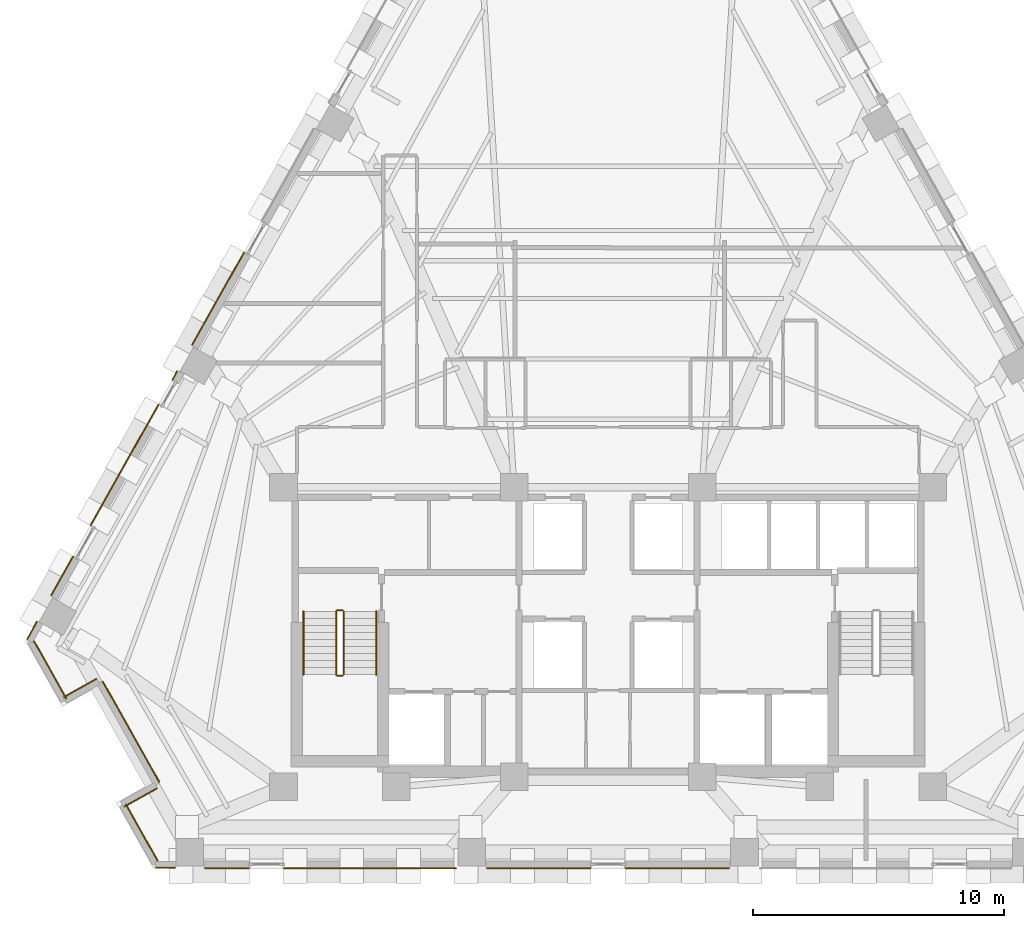
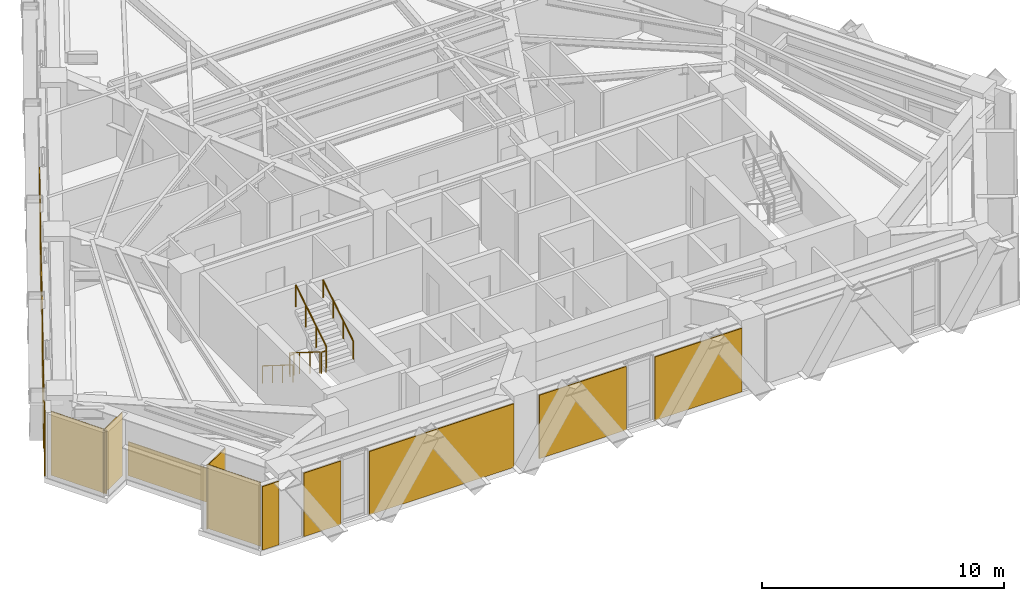
# One storey, part 10 of 13: 15 coverings, 6 railings.
"""IFC4 building model written with IfcOpenShell, lengths in metres."""

import ifcopenshell
import ifcopenshell.guid

model = None  # the IFC model being written
_history = None  # IfcOwnerHistory: only IFC2X3 demands one
_inside = {}  # id of a spatial element -> (the spatial element, [elements in it])
_under = {}  # id of a project, library or spatial element -> (it, [spatial elements below it])
_declared = {}  # id of a project -> (the project, [libraries it declares])
_typed = {}  # id of a type object -> (the type object, [elements of that type])
_made_of = {}  # id of a material, layer set ... -> (it, [elements and type objects made of it])


def new_model(schema):
    """Start an empty IFC model of exactly this schema.

    Asked for "IFC4X3", IfcOpenShell would pick the latest addendum, in which some entities
    have other attributes; the version numbers below select the first issue.
    IFC2X3 requires an IfcOwnerHistory on every rooted entity: one is made here for all.
    """
    global model, _history
    if schema == "IFC4X3":
        model = ifcopenshell.file(schema_version=(4, 3, 0, 0))
    else:
        model = ifcopenshell.file(schema=schema)
    _inside.clear()
    _under.clear()
    _declared.clear()
    _typed.clear()
    _made_of.clear()
    _history = None
    if model.schema == "IFC2X3":
        org = make("IfcOrganization", Name="unknown")
        user = make(
            "IfcPersonAndOrganization",
            ThePerson=make("IfcPerson", FamilyName="unknown"),
            TheOrganization=org,
        )
        app = make(
            "IfcApplication",
            ApplicationDeveloper=org,
            Version="unknown",
            ApplicationFullName="unknown",
            ApplicationIdentifier="unknown",
        )
        _history = make(
            "IfcOwnerHistory",
            OwningUser=user,
            OwningApplication=app,
            ChangeAction="ADDED",
            CreationDate=0,
        )
    return model


def make(cls, **values):
    """One entity of the class cls with the attributes given. An attribute that is None is left unset."""
    return model.create_entity(
        cls, **{name: value for name, value in values.items() if value is not None}
    )


def rooted(cls, **values):
    """An entity with a GlobalId (a new one), such as an element, a storey or a relation."""
    return make(cls, GlobalId=ifcopenshell.guid.new(), OwnerHistory=_history, **values)


def si_unit(unit_type, name, prefix=None):
    """IfcSIUnit, for example si_unit("LENGTHUNIT", "METRE", prefix="MILLI")."""
    return make("IfcSIUnit", UnitType=unit_type, Prefix=prefix, Name=name)


def assignment(units):
    """IfcUnitAssignment: the units of a project."""
    return None if units is None else make("IfcUnitAssignment", Units=units)


def point(xyz):
    """IfcCartesianPoint."""
    return None if xyz is None else make("IfcCartesianPoint", Coordinates=xyz)


def direction(xyz):
    """IfcDirection."""
    return None if xyz is None else make("IfcDirection", DirectionRatios=xyz)


def frame(location, z_axis=None, x_axis=None):
    """IfcAxis2Placement3D, a coordinate frame: its origin and axes. An axis left out is left unset."""
    return make(
        "IfcAxis2Placement3D",
        Location=point(location),
        Axis=direction(z_axis),
        RefDirection=direction(x_axis),
    )


def frame_2d(location, x_axis=None):
    """IfcAxis2Placement2D, a coordinate frame in the plane: its origin and x axis."""
    return make(
        "IfcAxis2Placement2D", Location=point(location), RefDirection=direction(x_axis)
    )


def origin():
    """The frame at (0, 0, 0) with its axes left unset."""
    return frame((0.0, 0.0, 0.0))


def origin_2d():
    """The frame at (0, 0) in the plane with its x axis left unset."""
    return frame_2d((0.0, 0.0))


def place(relative_to, where):
    """IfcLocalPlacement: puts the frame where relative to a parent placement (None: the world)."""
    return make(
        "IfcLocalPlacement", PlacementRelTo=relative_to, RelativePlacement=where
    )


def context(
    kind, dimensions, precision=None, world=None, true_north=None, identifier=None
):
    """IfcGeometricRepresentationContext, for example the 3D "Model" context."""
    return make(
        "IfcGeometricRepresentationContext",
        ContextIdentifier=identifier,
        ContextType=kind,
        CoordinateSpaceDimension=dimensions,
        Precision=precision,
        WorldCoordinateSystem=world,
        TrueNorth=true_north,
    )


def subcontext(parent, identifier, kind, view, scale=None):
    """IfcGeometricRepresentationSubContext, for example "Body" below "Model"."""
    return make(
        "IfcGeometricRepresentationSubContext",
        ContextIdentifier=identifier,
        ContextType=kind,
        ParentContext=parent,
        TargetScale=scale,
        TargetView=view,
    )


def project(units=None, contexts=None):
    """IfcProject with its units and contexts."""
    return rooted(
        "IfcProject",
        Name="project",
        RepresentationContexts=contexts,
        UnitsInContext=assignment(units),
    )


def spatial(cls, under=None, at=None, **own):
    """A site, building, storey or space (cls), placed at a placement, below another one or the project."""
    s = rooted(cls, ObjectPlacement=at, **own)
    if under is not None:
        _under.setdefault(under.id(), (under, []))[1].append(s)
    return s


def polyline(points):
    """IfcPolyline through the points."""
    return make("IfcPolyline", Points=[point(p) for p in points])


def profile(cls, at=None, kind="AREA", **sizes):
    """A parametric profile (cls). Its sizes go by their IFC names, for example OverallWidth=200.0."""
    return make(cls, ProfileType=kind, Position=at, **sizes)


def circle(**sizes):
    """IfcCircleProfileDef."""
    return profile("IfcCircleProfileDef", **sizes)


def outline(outer, holes=None, kind="AREA"):
    """IfcArbitraryClosedProfileDef: a profile drawn as a closed curve; with holes, ...WithVoids."""
    if holes is None:
        return make("IfcArbitraryClosedProfileDef", ProfileType=kind, OuterCurve=outer)
    return make(
        "IfcArbitraryProfileDefWithVoids",
        ProfileType=kind,
        OuterCurve=outer,
        InnerCurves=holes,
    )


def extrude(swept, where, along, depth):
    """IfcExtrudedAreaSolid: the profile swept, set in the frame where, extruded along a direction by depth."""
    return make(
        "IfcExtrudedAreaSolid",
        SweptArea=swept,
        Position=where,
        ExtrudedDirection=direction(along),
        Depth=depth,
    )


def shape(context_of_items, identifier, shape_type, items):
    """IfcShapeRepresentation: the items that make up one representation, for example the "Body"."""
    return make(
        "IfcShapeRepresentation",
        ContextOfItems=context_of_items,
        RepresentationIdentifier=identifier,
        RepresentationType=shape_type,
        Items=items,
    )


def material(Name=None, Category=None):
    """IfcMaterial."""
    return make("IfcMaterial", Name=Name, Category=Category)


def layer(
    of_material, thickness, ventilated=None, Name=None, Category=None, Priority=None
):
    """IfcMaterialLayer: one layer of a wall or slab, of a material (None: an air gap)."""
    return make(
        "IfcMaterialLayer",
        Material=of_material,
        LayerThickness=thickness,
        IsVentilated=ventilated,
        Name=Name,
        Category=Category,
        Priority=Priority,
    )


def layer_set(layers, Name=None):
    """IfcMaterialLayerSet."""
    return make("IfcMaterialLayerSet", MaterialLayers=layers, LayerSetName=Name)


def made_of(thing, what):
    """Note that an element or type object is made of a material, layer set ...; save() writes the relation."""
    if what is not None:
        _made_of.setdefault(what.id(), (what, []))[1].append(thing)
    return thing


def type_object(cls, material=None, **own):
    """A type object (cls), such as IfcWallType, which elements share."""
    return made_of(rooted(cls, **own), material)


def element(
    cls,
    number,
    at=None,
    inside=None,
    cuts=None,
    type_object=None,
    material=None,
    context=None,
    identifier="Body",
    shape_type=None,
    held_by="IfcProductDefinitionShape",
    body=None,
    shapes=None,
    **own,
):
    """One element of the class cls, such as IfcWall. Its Tag is "e" and its number.

    at: its placement. inside: the storey or other place that contains it. cuts: it is an
    opening in that element (IfcRelVoidsElement). A single representation is given by context,
    identifier, shape_type and body (its items); several are given by shapes. held_by: the class
    of the entity that holds the representations. save() writes the other relations.
    """
    e = rooted(cls, Tag="e%d" % number, ObjectPlacement=at, **own)
    if body is not None:
        shapes = [shape(context, identifier, shape_type, body)]
    if shapes is not None:
        e.Representation = make(held_by, Representations=shapes)
    if inside is not None:
        _inside.setdefault(inside.id(), (inside, []))[1].append(e)
    if cuts is not None:
        rooted(
            "IfcRelVoidsElement", RelatingBuildingElement=cuts, RelatedOpeningElement=e
        )
    if type_object is not None:
        _typed.setdefault(type_object.id(), (type_object, []))[1].append(e)
    return made_of(e, material)


def aggregate(whole, parts):
    """IfcRelAggregates: a whole, such as a stair, and the parts it consists of."""
    return rooted("IfcRelAggregates", RelatingObject=whole, RelatedObjects=parts)


def save(model, path):
    """Write the relations noted so far, then the file.

    IfcRelAggregates (storeys below a building ...), IfcRelContainedInSpatialStructure (elements
    in a storey), IfcRelDefinesByType, IfcRelAssociatesMaterial and IfcRelDeclares: one each for
    every whole, place, type object, material and project.
    """
    for whole, parts in _under.values():
        aggregate(whole, parts)
    for where, things in _inside.values():
        rooted(
            "IfcRelContainedInSpatialStructure",
            RelatedElements=things,
            RelatingStructure=where,
        )
    for kind, things in _typed.values():
        rooted("IfcRelDefinesByType", RelatedObjects=things, RelatingType=kind)
    for what, things in _made_of.values():
        rooted("IfcRelAssociatesMaterial", RelatedObjects=things, RelatingMaterial=what)
    for by, libraries in _declared.values():
        rooted("IfcRelDeclares", RelatingContext=by, RelatedDefinitions=libraries)
    model.write(path)


model = new_model("IFC4")

# Units and contexts
model_context = context("Model", 3, precision=1e-05, world=origin(), true_north=direction((0.0, 1.0)))
body_context = subcontext(model_context, "Body", "Model", "MODEL_VIEW")
ifc_project = project(units=[si_unit("LENGTHUNIT", "METRE"), si_unit("AREAUNIT", "SQUARE_METRE"), si_unit("VOLUMEUNIT", "CUBIC_METRE"), si_unit("PLANEANGLEUNIT", "RADIAN"), si_unit("MASSUNIT", "GRAM", prefix="KILO")], contexts=[model_context])

# Site, building, storey
site_placement = place(None, origin())
site = spatial("IfcSite", under=ifc_project, at=site_placement, CompositionType="ELEMENT")
building_placement = place(site_placement, origin())
building = spatial("IfcBuilding", under=site, at=building_placement, Name="Quenlor Broadcast Tower", CompositionType="ELEMENT")
storey_placement = place(building_placement, frame((0.0, 0.0, 126.5)))
storey = spatial("IfcBuildingStorey", under=building, at=storey_placement, Name="L34", CompositionType="ELEMENT", Elevation=126.5)

# Coverings
ifc_material_1 = material(Name="Architectural Terracotta Ceramic", Category="masonry")
ifc_layer = layer(ifc_material_1, 0.044921875)
ifc_layer_set = layer_set([ifc_layer], Name="Fluted Terracotta Rainscreen Cladding Panel")
covering_type = type_object("IfcCoveringType", Name="Fluted Terracotta Rainscreen Cladding Panel", PredefinedType="CLADDING", material=ifc_layer_set)
covering_1_placement = place(storey_placement, frame((0.0, 0.0, 0.02001953125)))
element("IfcCovering", 1, at=covering_1_placement, inside=storey, type_object=covering_type, Name="L34 Terracotta Rainscreen Cladding L34-SHD-SS1", PredefinedType="CLADDING", context=body_context, shape_type="SweptSolid", body=[
    extrude(outline(polyline([(-17.277587890625, -19.951904296875), (-18.053955078125, -19.951904296875), (-18.053955078125, -19.9970703125), (-17.277587890625, -19.9970703125), (-17.277587890625, -19.951904296875)])), origin(), (0.0, 0.0, 1.0), 3.2099609375),
])
covering_2_placement = place(storey_placement, frame((0.0, 0.0, 0.02001953125)))
element("IfcCovering", 2, at=covering_2_placement, inside=storey, type_object=covering_type, Name="L34 Terracotta Rainscreen Cladding L34-SC-SP1", PredefinedType="CLADDING", context=body_context, shape_type="SweptSolid", body=[
    extrude(outline(polyline([(-6.048095703125, -19.971923828125), (-12.94873046875, -19.971923828125), (-12.94873046875, -20.01708984375), (-6.048095703125, -20.01708984375), (-6.048095703125, -19.971923828125)])), origin(), (0.0, 0.0, 1.0), 3.2099609375),
])
covering_3_placement = place(storey_placement, frame((0.0, 0.0, 0.02001953125)))
element("IfcCovering", 3, at=covering_3_placement, inside=storey, type_object=covering_type, Name="L34 Terracotta Rainscreen Cladding L34-SC-SP2", PredefinedType="CLADDING", context=body_context, shape_type="SweptSolid", body=[
    extrude(outline(polyline([(-14.32177734375, -19.971923828125), (-16.08740234375, -19.971923828125), (-16.08740234375, -20.01708984375), (-14.32177734375, -20.01708984375), (-14.32177734375, -19.971923828125)])), origin(), (0.0, 0.0, 1.0), 3.2099609375),
])
covering_4_placement = place(storey_placement, frame((0.0, 0.0, 0.02001953125)))
element("IfcCovering", 4, at=covering_4_placement, inside=storey, type_object=covering_type, Name="L34 Terracotta Rainscreen Cladding L34-S-SP1", PredefinedType="CLADDING", context=body_context, shape_type="SweptSolid", body=[
    extrude(outline(polyline([(4.84326171875, -19.971923828125), (0.6865234375, -19.971923828125), (0.6865234375, -20.01708984375), (4.84326171875, -20.01708984375), (4.84326171875, -19.971923828125)])), origin(), (0.0, 0.0, 1.0), 3.2099609375),
])
covering_5_placement = place(storey_placement, frame((0.0, 0.0, 0.02001953125)))
element("IfcCovering", 5, at=covering_5_placement, inside=storey, type_object=covering_type, Name="L34 Terracotta Rainscreen Cladding L34-S-SP2", PredefinedType="CLADDING", context=body_context, shape_type="SweptSolid", body=[
    extrude(outline(polyline([(-0.6865234375, -19.971923828125), (-4.84326171875, -19.971923828125), (-4.84326171875, -20.01708984375), (-0.6865234375, -20.01708984375), (-0.6865234375, -19.971923828125)])), origin(), (0.0, 0.0, 1.0), 3.2099609375),
])
covering_6_placement = place(storey_placement, frame((0.0, 0.0, 0.02001953125)))
element("IfcCovering", 6, at=covering_6_placement, inside=storey, type_object=covering_type, Name="L34 Terracotta Rainscreen Cladding L34-SHD-NWS0", PredefinedType="CLADDING", context=body_context, shape_type="SweptSolid", body=[
    extrude(outline(polyline([(-23.160888671875, -10.873046875), (-22.76611328125, -10.171142578125), (-22.805419921875, -10.149169921875), (-23.2001953125, -10.85107421875), (-23.160888671875, -10.873046875)])), origin(), (0.0, 0.0, 1.0), 3.2099609375),
])
covering_7_placement = place(storey_placement, frame((0.0, 0.0, 0.02001953125)))
element("IfcCovering", 7, at=covering_7_placement, inside=storey, type_object=covering_type, Name="L34 Terracotta Rainscreen Cladding L34-NWA-SP1", PredefinedType="CLADDING", context=body_context, shape_type="SweptSolid", body=[
    extrude(outline(polyline([(-22.2001953125, -9.1240234375), (-21.325927734375, -7.56982421875), (-21.364990234375, -7.5478515625), (-22.239501953125, -9.10205078125), (-22.2001953125, -9.1240234375)])), origin(), (0.0, 0.0, 1.0), 3.2099609375),
])
covering_8_placement = place(storey_placement, frame((0.0, 0.0, 0.02001953125)))
element("IfcCovering", 8, at=covering_8_placement, inside=storey, type_object=covering_type, Name="L34 Terracotta Rainscreen Cladding L34-NWA-SP2", PredefinedType="CLADDING", context=body_context, shape_type="SweptSolid", body=[
    extrude(outline(polyline([(-20.62744140625, -6.328369140625), (-17.912841796875, -1.502197265625), (-17.951904296875, -1.47998046875), (-20.666748046875, -6.306396484375), (-20.62744140625, -6.328369140625)])), origin(), (0.0, 0.0, 1.0), 3.2099609375),
])
covering_9_placement = place(storey_placement, frame((0.0, 0.0, 0.02001953125)))
element("IfcCovering", 9, at=covering_9_placement, inside=storey, type_object=covering_type, Name="L34 Terracotta Rainscreen Cladding L34-NWA-SP3", PredefinedType="CLADDING", context=body_context, shape_type="SweptSolid", body=[
    extrude(outline(polyline([(-17.36474609375, -0.528076171875), (-17.168701171875, -0.179443359375), (-17.2080078125, -0.157470703125), (-17.404052734375, -0.506103515625), (-17.36474609375, -0.528076171875)])), origin(), (0.0, 0.0, 1.0), 3.2099609375),
])
covering_10_placement = place(storey_placement, frame((0.0, 0.0, 0.02001953125)))
element("IfcCovering", 10, at=covering_10_placement, inside=storey, type_object=covering_type, Name="L34 Terracotta Rainscreen Cladding L34-NW-SP1", PredefinedType="CLADDING", context=body_context, shape_type="SweptSolid", body=[
    extrude(outline(polyline([(-16.577880859375, 0.870849609375), (-14.499755859375, 4.565673828125), (-14.538818359375, 4.587646484375), (-16.6171875, 0.892822265625), (-16.577880859375, 0.870849609375)])), origin(), (0.0, 0.0, 1.0), 3.2099609375),
])
covering_11_placement = place(storey_placement, frame((0.0, 0.0, 0.02001953125)))
element("IfcCovering", 11, at=covering_11_placement, inside=storey, type_object=covering_type, Name="L34 Terracotta Rainscreen Cladding L34-CNR-12", PredefinedType="CLADDING", context=body_context, shape_type="SweptSolid", body=[
    extrude(outline(polyline([(-22.931396484375, -10.93408203125), (-21.630126953125, -13.24755859375), (-21.591064453125, -13.2255859375), (-22.892333984375, -10.912109375), (-22.931396484375, -10.93408203125)])), origin(), (0.0, 0.0, 1.0), 3.2099609375),
])
covering_12_placement = place(storey_placement, frame((0.0, 0.0, 0.02001953125)))
element("IfcCovering", 12, at=covering_12_placement, inside=storey, type_object=covering_type, Name="L34 Terracotta Rainscreen Cladding L34-CNR-13", PredefinedType="CLADDING", context=body_context, shape_type="SweptSolid", body=[
    extrude(outline(polyline([(-21.70703125, -13.19677734375), (-20.399658203125, -12.461181640625), (-20.421630859375, -12.422119140625), (-21.72900390625, -13.157470703125), (-21.70703125, -13.19677734375)])), origin(), (0.0, 0.0, 1.0), 3.2099609375),
])
covering_13_placement = place(storey_placement, frame((0.0, 0.0, 0.02001953125)))
element("IfcCovering", 13, at=covering_13_placement, inside=storey, type_object=covering_type, Name="L34 Terracotta Rainscreen Cladding L34-CNR-14", PredefinedType="CLADDING", context=body_context, shape_type="SweptSolid", body=[
    extrude(outline(polyline([(-20.186767578125, -12.55029296875), (-17.921630859375, -16.576904296875), (-17.88232421875, -16.554931640625), (-20.1474609375, -12.5283203125), (-20.186767578125, -12.55029296875)])), origin(), (0.0, 0.0, 1.0), 1.7099609375),
])
covering_14_placement = place(storey_placement, frame((0.0, 0.0, 0.02001953125)))
element("IfcCovering", 14, at=covering_14_placement, inside=storey, type_object=covering_type, Name="L34 Terracotta Rainscreen Cladding L34-CNR-15", PredefinedType="CLADDING", context=body_context, shape_type="SweptSolid", body=[
    extrude(outline(polyline([(-18.010498046875, -16.789794921875), (-19.31787109375, -17.525390625), (-19.2958984375, -17.564697265625), (-17.988525390625, -16.8291015625), (-18.010498046875, -16.789794921875)])), origin(), (0.0, 0.0, 1.0), 3.2099609375),
])
covering_15_placement = place(storey_placement, frame((0.0, 0.0, 0.02001953125)))
element("IfcCovering", 15, at=covering_15_placement, inside=storey, type_object=covering_type, Name="L34 Terracotta Rainscreen Cladding L34-CNR-16", PredefinedType="CLADDING", context=body_context, shape_type="SweptSolid", body=[
    extrude(outline(polyline([(-19.26708984375, -17.448486328125), (-17.987060546875, -19.72412109375), (-17.947998046875, -19.7021484375), (-19.227783203125, -17.426513671875), (-19.26708984375, -17.448486328125)])), origin(), (0.0, 0.0, 1.0), 3.2099609375),
])

# Railings
ifc_material_2 = material(Name="Anodised Aluminium", Category="aluminium")
railing_type_1 = type_object("IfcRailingType", Name="Stainless Aluminium Wall Handrail 900", PredefinedType="HANDRAIL", material=ifc_material_2)
railing_1_placement = place(storey_placement, frame((-12.14990234375, -9.75, 0.175048828125)))
element("IfcRailing", 16, at=railing_1_placement, inside=storey, type_object=railing_type_1, Name="L34 ST-1 stair handrail 1", PredefinedType="HANDRAIL", context=body_context, shape_type="SweptSolid", body=[
    extrude(circle(Radius=0.02392578125, at=origin_2d()), frame((0.0, 0.0, 0.8759765625), z_axis=(0.0, -0.848007534815, 0.529984170421), x_axis=(1.0, 0.0, 0.0)), (0.0, 0.0, 1.0), 2.9716796875),
    extrude(circle(Radius=0.02099609375, at=origin_2d()), origin(), (0.0, 0.0, 1.0), 0.851806640625),
    extrude(circle(Radius=0.02099609375, at=origin_2d()), frame((0.0, -0.840087890625, 0.52490234375)), (0.0, 0.0, 1.0), 0.851806640625),
    extrude(circle(Radius=0.02099609375, at=origin_2d()), frame((0.0, -1.679931640625, 1.050048828125)), (0.0, 0.0, 1.0), 0.851806640625),
    extrude(circle(Radius=0.02099609375, at=origin_2d()), frame((0.0, -2.52001953125, 1.574951171875)), (0.0, 0.0, 1.0), 0.851806640625),
])
railing_2_placement = place(storey_placement, frame((-9.25, -12.27001953125, 1.925048828125)))
element("IfcRailing", 17, at=railing_2_placement, inside=storey, type_object=railing_type_1, Name="L34 ST-1 stair handrail 2", PredefinedType="HANDRAIL", context=body_context, shape_type="SweptSolid", body=[
    extrude(circle(Radius=0.02392578125, at=origin_2d()), frame((0.0, 0.0, 0.8759765625), z_axis=(0.0, 0.848007534815, 0.529984170421), x_axis=(-1.0, 0.0, 0.0)), (0.0, 0.0, 1.0), 2.9716796875),
    extrude(circle(Radius=0.02099609375, at=origin_2d()), origin(), (0.0, 0.0, 1.0), 0.851806640625),
    extrude(circle(Radius=0.02099609375, at=origin_2d()), frame((0.0, 0.840087890625, 0.52490234375)), (0.0, 0.0, 1.0), 0.851806640625),
    extrude(circle(Radius=0.02099609375, at=origin_2d()), frame((0.0, 1.679931640625, 1.050048828125)), (0.0, 0.0, 1.0), 0.851806640625),
    extrude(circle(Radius=0.02099609375, at=origin_2d()), frame((0.0, 2.52001953125, 1.574951171875)), (0.0, 0.0, 1.0), 0.851806640625),
])
ifc_material_3 = material(Name="Steel S355", Category="steel")
railing_type_2 = type_object("IfcRailingType", Name="Tubular Steel S355 Stair Guardrail 1100", PredefinedType="BALUSTRADE", material=ifc_material_3)
railing_3_placement = place(storey_placement, frame((-10.85009765625, -9.75, 0.175048828125)))
element("IfcRailing", 18, at=railing_3_placement, inside=storey, type_object=railing_type_2, Name="L34 ST-1 stair guard 1", PredefinedType="BALUSTRADE", context=body_context, shape_type="SweptSolid", body=[
    extrude(circle(Radius=0.02392578125, at=origin_2d()), frame((0.0, 0.0, 1.076171875), z_axis=(0.0, -0.848007534815, 0.529984170421), x_axis=(1.0, 0.0, 0.0)), (0.0, 0.0, 1.0), 2.9716796875),
    extrude(circle(Radius=0.02099609375, at=origin_2d()), origin(), (0.0, 0.0, 1.0), 1.052001953125),
    extrude(circle(Radius=0.02099609375, at=origin_2d()), frame((0.0, -0.840087890625, 0.52490234375)), (0.0, 0.0, 1.0), 1.052001953125),
    extrude(circle(Radius=0.02099609375, at=origin_2d()), frame((0.0, -1.679931640625, 1.050048828125)), (0.0, 0.0, 1.0), 1.052001953125),
    extrude(circle(Radius=0.02099609375, at=origin_2d()), frame((0.0, -2.52001953125, 1.574951171875)), (0.0, 0.0, 1.0), 1.052001953125),
])
railing_4_placement = place(storey_placement, frame((-10.800048828125, -12.320068359375, 1.75)))
element("IfcRailing", 19, at=railing_4_placement, inside=storey, type_object=railing_type_2, Name="L34 ST-1 stair guard 2", PredefinedType="BALUSTRADE", context=body_context, shape_type="SweptSolid", body=[
    extrude(circle(Radius=0.02392578125, at=origin_2d()), frame((0.0, 0.0, 1.076171875), z_axis=(1.0, 0.0, 0.0), x_axis=(0.0, 1.0, 0.0)), (0.0, 0.0, 1.0), 0.199951171875),
    extrude(circle(Radius=0.02099609375, at=origin_2d()), origin(), (0.0, 0.0, 1.0), 1.052001953125),
    extrude(circle(Radius=0.02099609375, at=origin_2d()), frame((0.199951171875, 0.0, 0.0)), (0.0, 0.0, 1.0), 1.052001953125),
])
railing_5_placement = place(storey_placement, frame((-10.550048828125, -12.27001953125, 1.925048828125)))
element("IfcRailing", 20, at=railing_5_placement, inside=storey, type_object=railing_type_2, Name="L34 ST-1 stair guard 3", PredefinedType="BALUSTRADE", context=body_context, shape_type="SweptSolid", body=[
    extrude(circle(Radius=0.02392578125, at=origin_2d()), frame((0.0, 0.0, 1.076171875), z_axis=(0.0, 0.848007534815, 0.529984170421), x_axis=(-1.0, 0.0, 0.0)), (0.0, 0.0, 1.0), 2.9716796875),
    extrude(circle(Radius=0.02099609375, at=origin_2d()), origin(), (0.0, 0.0, 1.0), 1.052001953125),
    extrude(circle(Radius=0.02099609375, at=origin_2d()), frame((0.0, 0.840087890625, 0.52490234375)), (0.0, 0.0, 1.0), 1.052001953125),
    extrude(circle(Radius=0.02099609375, at=origin_2d()), frame((0.0, 1.679931640625, 1.050048828125)), (0.0, 0.0, 1.0), 1.052001953125),
    extrude(circle(Radius=0.02099609375, at=origin_2d()), frame((0.0, 2.52001953125, 1.574951171875)), (0.0, 0.0, 1.0), 1.052001953125),
])
railing_6_placement = place(storey_placement, frame((-10.800048828125, -9.699951171875, 0.0)))
element("IfcRailing", 21, at=railing_6_placement, inside=storey, type_object=railing_type_2, Name="L34 ST-1 stair guard 4", PredefinedType="BALUSTRADE", context=body_context, shape_type="SweptSolid", body=[
    extrude(circle(Radius=0.02392578125, at=origin_2d()), frame((0.0, 0.0, 1.076171875), z_axis=(1.0, 0.0, 0.0), x_axis=(0.0, 1.0, 0.0)), (0.0, 0.0, 1.0), 0.199951171875),
    extrude(circle(Radius=0.02099609375, at=origin_2d()), origin(), (0.0, 0.0, 1.0), 1.052001953125),
    extrude(circle(Radius=0.02099609375, at=origin_2d()), frame((0.199951171875, 0.0, 0.0)), (0.0, 0.0, 1.0), 1.052001953125),
])

save(model, "model.ifc")
